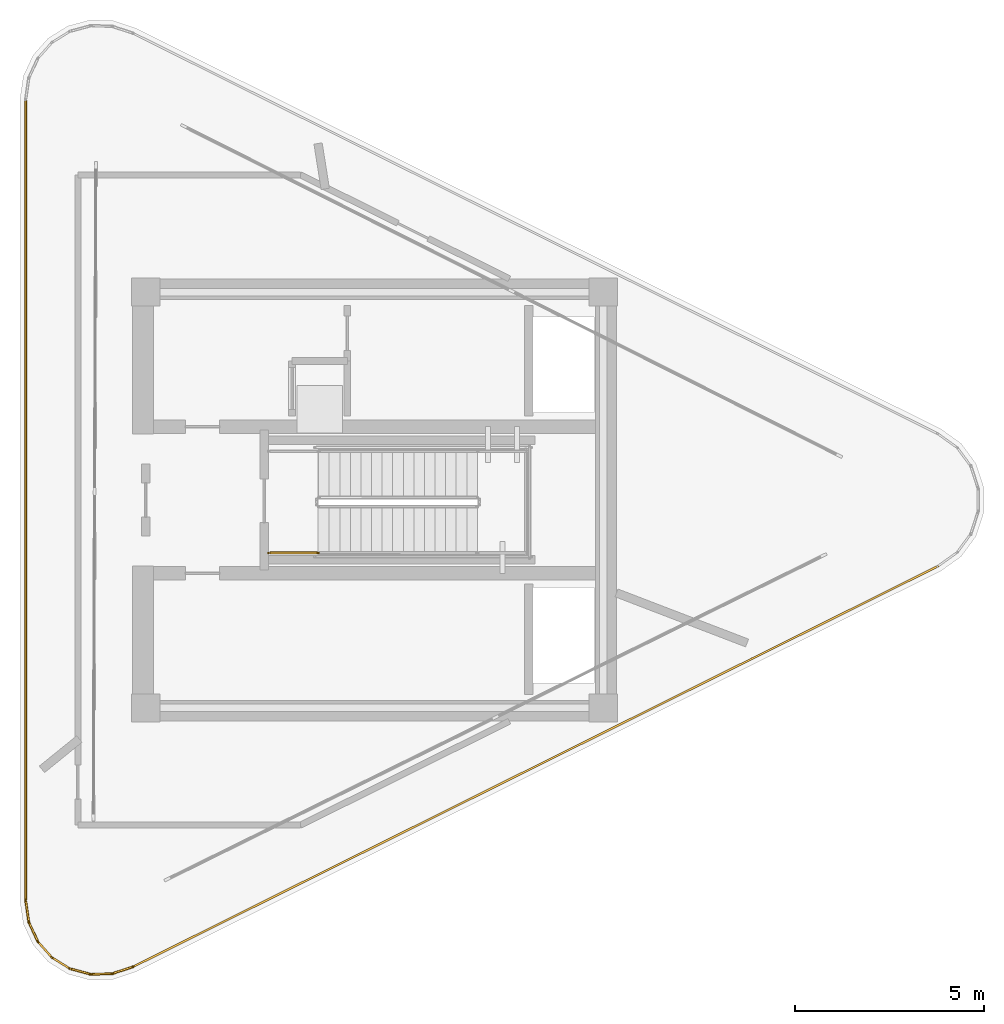
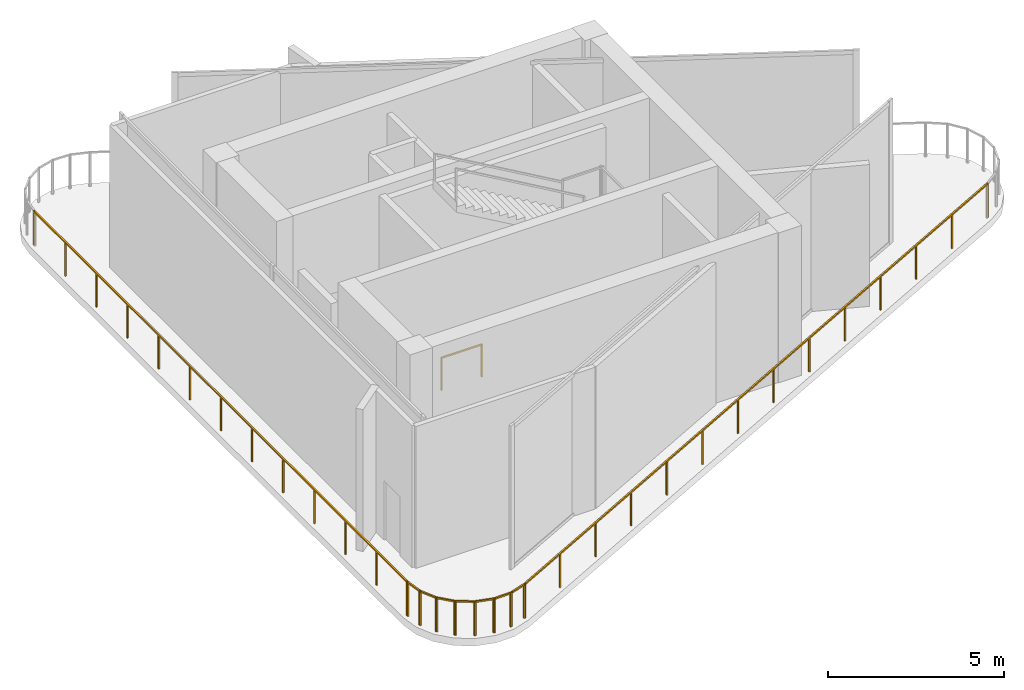
# One storey, part 3 of 5: 10 railings.
"""IFC4 building model written with IfcOpenShell, lengths in metres."""

from ifc_helpers import new_model, si_unit, direction, frame, origin, origin_2d, place, context, subcontext, project, spatial, rectangle, extrude, material, type_object, element, save


model = new_model("IFC4")

# Units and contexts
model_context = context("Model", 3, precision=1e-05, world=origin(), true_north=direction((0.0, 1.0)))
body_context = subcontext(model_context, "Body", "Model", "MODEL_VIEW")
ifc_project = project(units=[si_unit("LENGTHUNIT", "METRE"), si_unit("AREAUNIT", "SQUARE_METRE"), si_unit("VOLUMEUNIT", "CUBIC_METRE"), si_unit("PLANEANGLEUNIT", "RADIAN"), si_unit("MASSUNIT", "GRAM", prefix="KILO")], contexts=[model_context])

# Site, building, storey
site_placement = place(None, origin())
site = spatial("IfcSite", under=ifc_project, at=site_placement, CompositionType="ELEMENT")
building_placement = place(site_placement, origin())
building = spatial("IfcBuilding", under=site, at=building_placement, Name="Yunling Apex Tower", CompositionType="ELEMENT")
storey_placement = place(building_placement, frame((0.0, 0.0, 328.25)))
storey = spatial("IfcBuildingStorey", under=building, at=storey_placement, Name="C03", CompositionType="ELEMENT", Elevation=328.25)

# Railings
ifc_material_1 = material(Name="Bronze anodised aluminium", Category="aluminium")
railing_type_1 = type_object("IfcRailingType", Name="RL-BAL-1200", PredefinedType="BALUSTRADE", material=ifc_material_1)
railing_1_placement = place(storey_placement, frame((-9.226318359375, -10.61328125, 0.0)))
element("IfcRailing", 1, at=railing_1_placement, inside=storey, type_object=railing_type_1, Name="RL-CRN-PERIM-C03-01", PredefinedType="BALUSTRADE", context=body_context, shape_type="SweptSolid", body=[
    extrude(rectangle(XDim=0.0439453125, YDim=0.0439453125, at=origin_2d()), origin(), (0.0, 0.0, 1.0), 1.199951171875),
    extrude(rectangle(XDim=0.0439453125, YDim=0.0439453125, at=origin_2d()), frame((0.0, 21.2265625, 0.0)), (0.0, 0.0, 1.0), 1.199951171875),
    extrude(rectangle(XDim=0.050048828125, YDim=0.050048828125, at=origin_2d()), frame((0.0, 0.038330078125, 1.1748046875), z_axis=(0.0, 1.0, 0.0), x_axis=(-1.0, 0.0, 0.0)), (0.0, 0.0, 1.0), 21.14990234375),
    extrude(rectangle(XDim=0.0439453125, YDim=0.0439453125, at=origin_2d()), frame((0.0, 1.768798828125, 0.0)), (0.0, 0.0, 1.0), 1.14599609375),
    extrude(rectangle(XDim=0.0439453125, YDim=0.0439453125, at=origin_2d()), frame((0.0, 3.537841796875, 0.0)), (0.0, 0.0, 1.0), 1.14599609375),
    extrude(rectangle(XDim=0.0439453125, YDim=0.0439453125, at=origin_2d()), frame((0.0, 5.306640625, 0.0)), (0.0, 0.0, 1.0), 1.14599609375),
    extrude(rectangle(XDim=0.0439453125, YDim=0.0439453125, at=origin_2d()), frame((0.0, 7.075439453125, 0.0)), (0.0, 0.0, 1.0), 1.14599609375),
    extrude(rectangle(XDim=0.0439453125, YDim=0.0439453125, at=origin_2d()), frame((0.0, 8.844482421875, 0.0)), (0.0, 0.0, 1.0), 1.14599609375),
    extrude(rectangle(XDim=0.0439453125, YDim=0.0439453125, at=origin_2d()), frame((0.0, 10.61328125, 0.0)), (0.0, 0.0, 1.0), 1.14599609375),
    extrude(rectangle(XDim=0.0439453125, YDim=0.0439453125, at=origin_2d()), frame((0.0, 12.382080078125, 0.0)), (0.0, 0.0, 1.0), 1.14599609375),
    extrude(rectangle(XDim=0.0439453125, YDim=0.0439453125, at=origin_2d()), frame((0.0, 14.151123046875, 0.0)), (0.0, 0.0, 1.0), 1.14599609375),
    extrude(rectangle(XDim=0.0439453125, YDim=0.0439453125, at=origin_2d()), frame((0.0, 15.919921875, 0.0)), (0.0, 0.0, 1.0), 1.14599609375),
    extrude(rectangle(XDim=0.0439453125, YDim=0.0439453125, at=origin_2d()), frame((0.0, 17.688720703125, 0.0)), (0.0, 0.0, 1.0), 1.14599609375),
    extrude(rectangle(XDim=0.0439453125, YDim=0.0439453125, at=origin_2d()), frame((0.0, 19.457763671875, 0.0)), (0.0, 0.0, 1.0), 1.14599609375),
])
railing_2_placement = place(storey_placement, frame((14.9111328125, -1.744384765625, 0.0)))
element("IfcRailing", 2, at=railing_2_placement, inside=storey, type_object=railing_type_1, Name="RL-CRN-PERIM-C03-17", PredefinedType="BALUSTRADE", context=body_context, shape_type="SweptSolid", body=[
    extrude(rectangle(XDim=0.0439453125, YDim=0.0439453125, at=origin_2d()), origin(), (0.0, 0.0, 1.0), 1.199951171875),
    extrude(rectangle(XDim=0.0439453125, YDim=0.0439453125, at=origin_2d()), frame((-21.322265625, -10.6123046875, 0.0)), (0.0, 0.0, 1.0), 1.199951171875),
    extrude(rectangle(XDim=0.050048828125, YDim=0.050048828125, at=origin_2d()), frame((-0.034423828125, -0.01708984375, 1.1748046875), z_axis=(-0.895245734682, -0.445572748868, 0.0), x_axis=(0.445572748868, -0.895245734682, 0.0)), (0.0, 0.0, 1.0), 23.740478515625),
    extrude(rectangle(XDim=0.0439453125, YDim=0.0439453125, at=origin_2d()), frame((-1.64013671875, -0.81640625, 0.0)), (0.0, 0.0, 1.0), 1.14599609375),
    extrude(rectangle(XDim=0.0439453125, YDim=0.0439453125, at=origin_2d()), frame((-3.2802734375, -1.632568359375, 0.0)), (0.0, 0.0, 1.0), 1.14599609375),
    extrude(rectangle(XDim=0.0439453125, YDim=0.0439453125, at=origin_2d()), frame((-4.92041015625, -2.448974609375, 0.0)), (0.0, 0.0, 1.0), 1.14599609375),
    extrude(rectangle(XDim=0.0439453125, YDim=0.0439453125, at=origin_2d()), frame((-6.560791015625, -3.265380859375, 0.0)), (0.0, 0.0, 1.0), 1.14599609375),
    extrude(rectangle(XDim=0.0439453125, YDim=0.0439453125, at=origin_2d()), frame((-8.200927734375, -4.08154296875, 0.0)), (0.0, 0.0, 1.0), 1.14599609375),
    extrude(rectangle(XDim=0.0439453125, YDim=0.0439453125, at=origin_2d()), frame((-9.841064453125, -4.89794921875, 0.0)), (0.0, 0.0, 1.0), 1.14599609375),
    extrude(rectangle(XDim=0.0439453125, YDim=0.0439453125, at=origin_2d()), frame((-11.481201171875, -5.71435546875, 0.0)), (0.0, 0.0, 1.0), 1.14599609375),
    extrude(rectangle(XDim=0.0439453125, YDim=0.0439453125, at=origin_2d()), frame((-13.121337890625, -6.53076171875, 0.0)), (0.0, 0.0, 1.0), 1.14599609375),
    extrude(rectangle(XDim=0.0439453125, YDim=0.0439453125, at=origin_2d()), frame((-14.761474609375, -7.346923828125, 0.0)), (0.0, 0.0, 1.0), 1.14599609375),
    extrude(rectangle(XDim=0.0439453125, YDim=0.0439453125, at=origin_2d()), frame((-16.40185546875, -8.163330078125, 0.0)), (0.0, 0.0, 1.0), 1.14599609375),
    extrude(rectangle(XDim=0.0439453125, YDim=0.0439453125, at=origin_2d()), frame((-18.0419921875, -8.979736328125, 0.0)), (0.0, 0.0, 1.0), 1.14599609375),
    extrude(rectangle(XDim=0.0439453125, YDim=0.0439453125, at=origin_2d()), frame((-19.68212890625, -9.7958984375, 0.0)), (0.0, 0.0, 1.0), 1.14599609375),
])
railing_3_placement = place(storey_placement, frame((-6.38330078125, -12.34521484375, 0.0)))
element("IfcRailing", 3, at=railing_3_placement, inside=storey, type_object=railing_type_1, Name="RL-CRN-PERIM-C03-18", PredefinedType="BALUSTRADE", context=body_context, shape_type="SweptSolid", body=[
    extrude(rectangle(XDim=0.0439453125, YDim=0.0439453125, at=origin_2d()), origin(), (0.0, 0.0, 1.0), 1.199951171875),
    extrude(rectangle(XDim=0.0439453125, YDim=0.0439453125, at=origin_2d()), frame((-0.574951171875, -0.1884765625, 0.0)), (0.0, 0.0, 1.0), 1.199951171875),
    extrude(rectangle(XDim=0.050048828125, YDim=0.050048828125, at=origin_2d()), frame((-0.036376953125, -0.011962890625, 1.1748046875), z_axis=(-0.950245205917, -0.311502887035, 0.0), x_axis=(0.311502887035, -0.950245205917, 0.0)), (0.0, 0.0, 1.0), 0.5283203125),
])
railing_4_placement = place(storey_placement, frame((-6.928955078125, -12.528564453125, 0.0)))
element("IfcRailing", 4, at=railing_4_placement, inside=storey, type_object=railing_type_1, Name="RL-CRN-PERIM-C03-19", PredefinedType="BALUSTRADE", context=body_context, shape_type="SweptSolid", body=[
    extrude(rectangle(XDim=0.0439453125, YDim=0.0439453125, at=origin_2d()), origin(), (0.0, 0.0, 1.0), 1.199951171875),
    extrude(rectangle(XDim=0.0439453125, YDim=0.0439453125, at=origin_2d()), frame((-0.593505859375, -0.015625, 0.0)), (0.0, 0.0, 1.0), 1.199951171875),
    extrude(rectangle(XDim=0.050048828125, YDim=0.050048828125, at=origin_2d()), frame((-0.038330078125, -0.0009765625, 1.1748046875), z_axis=(-0.999653634719, -0.026317495937, 0.0), x_axis=(0.026317495937, -0.999653634719, 0.0)), (0.0, 0.0, 1.0), 0.51708984375),
])
railing_5_placement = place(storey_placement, frame((-7.492919921875, -12.547607421875, 0.0)))
element("IfcRailing", 5, at=railing_5_placement, inside=storey, type_object=railing_type_1, Name="RL-CRN-PERIM-C03-20", PredefinedType="BALUSTRADE", context=body_context, shape_type="SweptSolid", body=[
    extrude(rectangle(XDim=0.0439453125, YDim=0.0439453125, at=origin_2d()), origin(), (0.0, 0.0, 1.0), 1.199951171875),
    extrude(rectangle(XDim=0.0439453125, YDim=0.0439453125, at=origin_2d()), frame((-0.5732421875, 0.155029296875, 0.0)), (0.0, 0.0, 1.0), 1.199951171875),
    extrude(rectangle(XDim=0.050048828125, YDim=0.050048828125, at=origin_2d()), frame((-0.037109375, 0.010009765625, 1.1748046875), z_axis=(-0.965321400448, 0.261064348077, 0.0), x_axis=(-0.261064348077, -0.965321400448, 0.0)), (0.0, 0.0, 1.0), 0.51708984375),
])
railing_6_placement = place(storey_placement, frame((-8.0390625, -12.404296875, 0.0)))
element("IfcRailing", 6, at=railing_6_placement, inside=storey, type_object=railing_type_1, Name="RL-CRN-PERIM-C03-21", PredefinedType="BALUSTRADE", context=body_context, shape_type="SweptSolid", body=[
    extrude(rectangle(XDim=0.0439453125, YDim=0.0439453125, at=origin_2d()), origin(), (0.0, 0.0, 1.0), 1.199951171875),
    extrude(rectangle(XDim=0.0439453125, YDim=0.0439453125, at=origin_2d()), frame((-0.504638671875, 0.3125, 0.0)), (0.0, 0.0, 1.0), 1.199951171875),
    extrude(rectangle(XDim=0.050048828125, YDim=0.050048828125, at=origin_2d()), frame((-0.032470703125, 0.020263671875, 1.1748046875), z_axis=(-0.850186245744, 0.526482048647, 0.0), x_axis=(-0.526482048647, -0.850186245744, 0.0)), (0.0, 0.0, 1.0), 0.516845703125),
])
railing_7_placement = place(storey_placement, frame((-8.52099609375, -12.11083984375, 0.0)))
element("IfcRailing", 7, at=railing_7_placement, inside=storey, type_object=railing_type_1, Name="RL-CRN-PERIM-C03-22", PredefinedType="BALUSTRADE", context=body_context, shape_type="SweptSolid", body=[
    extrude(rectangle(XDim=0.0439453125, YDim=0.0439453125, at=origin_2d()), origin(), (0.0, 0.0, 1.0), 1.199951171875),
    extrude(rectangle(XDim=0.0439453125, YDim=0.0439453125, at=origin_2d()), frame((-0.394287109375, 0.44384765625, 0.0)), (0.0, 0.0, 1.0), 1.199951171875),
    extrude(rectangle(XDim=0.050048828125, YDim=0.050048828125, at=origin_2d()), frame((-0.025390625, 0.028564453125, 1.1748046875), z_axis=(-0.664134086681, 0.74761347962, 0.0), x_axis=(-0.74761347962, -0.664134086681, 0.0)), (0.0, 0.0, 1.0), 0.51708984375),
])
railing_8_placement = place(storey_placement, frame((-8.89892578125, -11.691650390625, 0.0)))
element("IfcRailing", 8, at=railing_8_placement, inside=storey, type_object=railing_type_1, Name="RL-CRN-PERIM-C03-23", PredefinedType="BALUSTRADE", context=body_context, shape_type="SweptSolid", body=[
    extrude(rectangle(XDim=0.0439453125, YDim=0.0439453125, at=origin_2d()), origin(), (0.0, 0.0, 1.0), 1.199951171875),
    extrude(rectangle(XDim=0.0439453125, YDim=0.0439453125, at=origin_2d()), frame((-0.25048828125, 0.538330078125, 0.0)), (0.0, 0.0, 1.0), 1.199951171875),
    extrude(rectangle(XDim=0.050048828125, YDim=0.050048828125, at=origin_2d()), frame((-0.01611328125, 0.03466796875, 1.1748046875), z_axis=(-0.42187225392, 0.906655282548, 0.0), x_axis=(-0.906655282548, -0.42187225392, 0.0)), (0.0, 0.0, 1.0), 0.51708984375),
])
railing_9_placement = place(storey_placement, frame((-9.14111328125, -11.181640625, 0.0)))
element("IfcRailing", 9, at=railing_9_placement, inside=storey, type_object=railing_type_1, Name="RL-CRN-PERIM-C03-24", PredefinedType="BALUSTRADE", context=body_context, shape_type="SweptSolid", body=[
    extrude(rectangle(XDim=0.0439453125, YDim=0.0439453125, at=origin_2d()), origin(), (0.0, 0.0, 1.0), 1.199951171875),
    extrude(rectangle(XDim=0.0439453125, YDim=0.0439453125, at=origin_2d()), frame((-0.08740234375, 0.59814453125, 0.0)), (0.0, 0.0, 1.0), 1.199951171875),
    extrude(rectangle(XDim=0.050048828125, YDim=0.050048828125, at=origin_2d()), frame((-0.005615234375, 0.037841796875, 1.1748046875), z_axis=(-0.144587007517, 0.989492090548, 0.0), x_axis=(-0.989492090548, -0.144587007517, 0.0)), (0.0, 0.0, 1.0), 0.52783203125),
])
ifc_material_2 = material(Name="Steel Q355B", Category="steel")
railing_type_2 = type_object("IfcRailingType", Name="RL-GRD-1150", PredefinedType="GUARDRAIL", material=ifc_material_2)
railing_10_placement = place(storey_placement, frame((-2.800048828125, -1.39990234375, 0.0)))
element("IfcRailing", 10, at=railing_10_placement, inside=storey, type_object=railing_type_2, Name="C03 ST-C1 stair guard 8", PredefinedType="GUARDRAIL", context=body_context, shape_type="SweptSolid", body=[
    extrude(rectangle(XDim=0.0439453125, YDim=0.0439453125, at=origin_2d()), origin(), (0.0, 0.0, 1.0), 1.14990234375),
    extrude(rectangle(XDim=0.0439453125, YDim=0.0439453125, at=origin_2d()), frame((1.320068359375, 0.0, 0.0)), (0.0, 0.0, 1.0), 1.14990234375),
    extrude(rectangle(XDim=0.050048828125, YDim=0.050048828125, at=origin_2d()), frame((0.038330078125, 0.0, 1.125), z_axis=(1.0, 0.0, 0.0), x_axis=(0.0, 1.0, 0.0)), (0.0, 0.0, 1.0), 1.243408203125),
])

save(model, "model.ifc")
